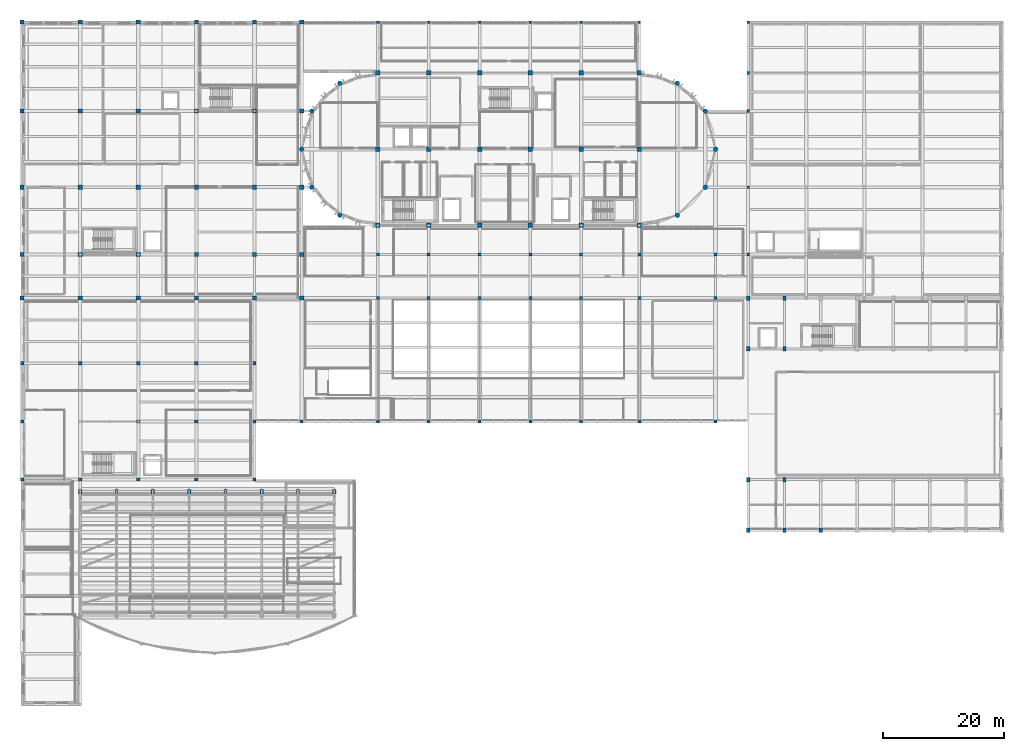
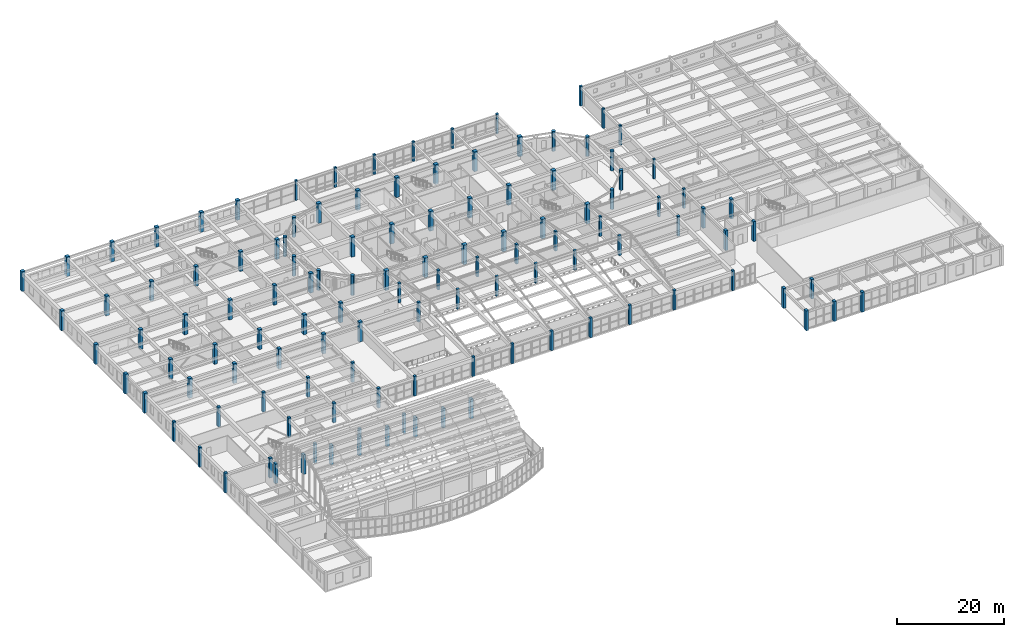
# One storey, part 3 of 91: 122 columns.
"""IFC4 building model written with IfcOpenShell, lengths in metres."""

from ifc_helpers import new_model, si_unit, direction, frame, origin, origin_2d, place, context, subcontext, project, spatial, rectangle, circle, extrude, material, material_profile, profile_set, type_object, element, save


model = new_model("IFC4")

# Units and contexts
model_context = context("Model", 3, precision=1e-05, world=origin(), true_north=direction((0.0, 1.0)))
body_context = subcontext(model_context, "Body", "Model", "MODEL_VIEW")
ifc_project = project(units=[si_unit("LENGTHUNIT", "METRE"), si_unit("AREAUNIT", "SQUARE_METRE"), si_unit("VOLUMEUNIT", "CUBIC_METRE"), si_unit("PLANEANGLEUNIT", "RADIAN"), si_unit("MASSUNIT", "GRAM", prefix="KILO")], contexts=[model_context])

# Site, building, storey
site_placement = place(None, origin())
site = spatial("IfcSite", under=ifc_project, at=site_placement, CompositionType="ELEMENT")
building_placement = place(site_placement, origin())
building = spatial("IfcBuilding", under=site, at=building_placement, Name="Tarnavel Promenade Courthouse", CompositionType="ELEMENT")
storey_placement = place(building_placement, frame((0.0, 0.0, 9.89990234375)))
storey = spatial("IfcBuildingStorey", under=building, at=storey_placement, Name="L03", CompositionType="ELEMENT", Elevation=9.89990234375)

# Columns
ifc_material = material(Name="Concrete C40/50", Category="concrete")
ifc_material_profile_1 = material_profile(ifc_material, circle(Radius=0.375, at=origin_2d()), Name="RCC D750")
ifc_profile_set_1 = profile_set([ifc_material_profile_1], Name="Concrete C40/50")
column_type_1 = type_object("IfcColumnType", Name="Concrete C40/50 COL-DRUM-D750 (RCC D750)", PredefinedType="COLUMN", material=ifc_profile_set_1)
for number, where, z_axis, x_axis, name in (
    (1, (52.5, 102.7119140625, 0.0), (0.0, 0.0, 1.0), (1.0, 0.0, 0.0), "L03 Structural Column 0232"),
    (2, (108.300048828125, 80.88818359375, 0.0), (0.0, 0.0, 1.0), (1.0, 0.0, 0.0), "L03 Structural Column 0242"),
    (3, (47.88818359375, 98.10009765625, 0.0), (0.0, 0.0, 1.0), (1.0, 0.0, 0.0), "L03 Structural Column 0252"),
    (4, (112.911865234375, 85.5, 0.0), (0.0, 0.0, 1.0), (1.0, 0.0, 0.0), "L03 Structural Column 0262"),
    (5, (46.199951171875, 91.800048828125, 0.0), (0.0, 0.0, 1.0), (1.0, 0.0, 0.0), "L03 Structural Column 0272"),
    (6, (114.60009765625, 91.800048828125, 0.0), (0.0, 0.0, 1.0), (1.0, 0.0, 0.0), "L03 Structural Column 0282"),
    (7, (47.88818359375, 85.5, 0.0), (0.0, 0.0, 1.0), (1.0, 0.0, 0.0), "L03 Structural Column 0292"),
    (8, (112.911865234375, 98.10009765625, 0.0), (0.0, 0.0, 1.0), (1.0, 0.0, 0.0), "L03 Structural Column 0302"),
    (9, (52.5, 80.88818359375, 0.0), (0.0, 0.0, 1.0), (1.0, 0.0, 0.0), "L03 Structural Column 0312"),
    (10, (108.300048828125, 102.7119140625, 0.0), (0.0, 0.0, 1.0), (1.0, 0.0, 0.0), "L03 Structural Column 0322"),
):
    element("IfcColumn", number, at=place(storey_placement, frame(where, z_axis=z_axis, x_axis=x_axis)), inside=storey, type_object=column_type_1, Name=name, PredefinedType="COLUMN", context=body_context, shape_type="SweptSolid", body=[
        extrude(circle(Radius=0.375, at=origin_2d()), origin(), (0.0, 0.0, 1.0), 4.5),
    ])
ifc_material_profile_2 = material_profile(ifc_material, rectangle(XDim=0.449951171875, YDim=0.449951171875, at=origin_2d()), Name="RC 450x450")
ifc_profile_set_2 = profile_set([ifc_material_profile_2], Name="Concrete C40/50")
column_type_2 = type_object("IfcColumnType", Name="Concrete C40/50 COL-RC450-PAV (RC 450x450)", PredefinedType="COLUMN", material=ifc_profile_set_2)
for number, where, z_axis, x_axis, name in (
    (11, (58.800048828125, 112.800048828125, 0.0), (0.0, 0.0, 1.0), (1.0, 0.0, 0.0), "L03 Structural Column 0034"),
    (12, (67.199951171875, 112.800048828125, 0.0), (0.0, 0.0, 1.0), (1.0, 0.0, 0.0), "L03 Structural Column 0076"),
    (13, (75.60009765625, 112.800048828125, 0.0), (0.0, 0.0, 1.0), (1.0, 0.0, 0.0), "L03 Structural Column 0114"),
    (14, (84.0, 112.800048828125, 0.0), (0.0, 0.0, 1.0), (1.0, 0.0, 0.0), "L03 Structural Column 0152"),
    (15, (92.39990234375, 112.800048828125, 0.0), (0.0, 0.0, 1.0), (1.0, 0.0, 0.0), "L03 Structural Column 0194"),
    (16, (102.0, 112.800048828125, 0.0), (0.0, 0.0, 1.0), (1.0, 0.0, 0.0), "L03 Structural Column 0228"),
    (17, (120.0, 74.39990234375, 0.0), (0.0, 0.0, 1.0), (1.0, 0.0, 0.0), "L03 Structural Column 0889"),
    (18, (120.0, 85.5, 0.0), (0.0, 0.0, 1.0), (1.0, 0.0, 0.0), "L03 Structural Column 0893"),
    (19, (120.0, 98.10009765625, 0.0), (0.0, 0.0, 1.0), (1.0, 0.0, 0.0), "L03 Structural Column 0897"),
    (20, (120.0, 104.39990234375, 0.0), (0.0, 0.0, 1.0), (1.0, 0.0, 0.0), "L03 Structural Column 0901"),
    (21, (120.0, 112.800048828125, 0.0), (0.0, 0.0, 1.0), (1.0, 0.0, 0.0), "L03 Structural Column 0905"),
):
    element("IfcColumn", number, at=place(storey_placement, frame(where, z_axis=z_axis, x_axis=x_axis)), inside=storey, type_object=column_type_2, Name=name, PredefinedType="COLUMN", context=body_context, shape_type="SweptSolid", body=[
        extrude(rectangle(XDim=0.449951171875, YDim=0.449951171875, at=origin_2d()), origin(), (0.0, 0.0, 1.0), 4.5),
    ])
ifc_material_profile_3 = material_profile(ifc_material, rectangle(XDim=0.5, YDim=0.5, at=origin_2d()), Name="RC 500x500")
ifc_profile_set_3 = profile_set([ifc_material_profile_3], Name="Concrete C40/50")
column_type_3 = type_object("IfcColumnType", Name="Concrete C40/50 COL-RC500-TOP (RC 500x500)", PredefinedType="COLUMN", material=ifc_profile_set_3)
for number, where, z_axis, x_axis, name in (
    (22, (46.199951171875, 46.800048828125, 0.0), (0.0, 0.0, 1.0), (1.0, 0.0, 0.0), "L03 Structural Column 1001"),
    (23, (58.800048828125, 46.800048828125, 0.0), (0.0, 0.0, 1.0), (1.0, 0.0, 0.0), "L03 Structural Column 1005"),
    (24, (58.800048828125, 67.199951171875, 0.0), (0.0, 0.0, 1.0), (1.0, 0.0, 0.0), "L03 Structural Column 1009"),
    (25, (58.800048828125, 74.39990234375, 0.0), (0.0, 0.0, 1.0), (1.0, 0.0, 0.0), "L03 Structural Column 1013"),
    (26, (67.199951171875, 46.800048828125, 0.0), (0.0, 0.0, 1.0), (1.0, 0.0, 0.0), "L03 Structural Column 1017"),
    (27, (67.199951171875, 67.199951171875, 0.0), (0.0, 0.0, 1.0), (1.0, 0.0, 0.0), "L03 Structural Column 1021"),
    (28, (67.199951171875, 74.39990234375, 0.0), (0.0, 0.0, 1.0), (1.0, 0.0, 0.0), "L03 Structural Column 1025"),
    (29, (75.60009765625, 46.800048828125, 0.0), (0.0, 0.0, 1.0), (1.0, 0.0, 0.0), "L03 Structural Column 1029"),
    (30, (75.60009765625, 67.199951171875, 0.0), (0.0, 0.0, 1.0), (1.0, 0.0, 0.0), "L03 Structural Column 1033"),
    (31, (75.60009765625, 74.39990234375, 0.0), (0.0, 0.0, 1.0), (1.0, 0.0, 0.0), "L03 Structural Column 1037"),
    (32, (84.0, 46.800048828125, 0.0), (0.0, 0.0, 1.0), (1.0, 0.0, 0.0), "L03 Structural Column 1041"),
    (33, (84.0, 67.199951171875, 0.0), (0.0, 0.0, 1.0), (1.0, 0.0, 0.0), "L03 Structural Column 1045"),
    (34, (84.0, 74.39990234375, 0.0), (0.0, 0.0, 1.0), (1.0, 0.0, 0.0), "L03 Structural Column 1049"),
    (35, (92.39990234375, 46.800048828125, 0.0), (0.0, 0.0, 1.0), (1.0, 0.0, 0.0), "L03 Structural Column 1053"),
    (36, (92.39990234375, 67.199951171875, 0.0), (0.0, 0.0, 1.0), (1.0, 0.0, 0.0), "L03 Structural Column 1057"),
    (37, (92.39990234375, 74.39990234375, 0.0), (0.0, 0.0, 1.0), (1.0, 0.0, 0.0), "L03 Structural Column 1061"),
    (38, (102.0, 46.800048828125, 0.0), (0.0, 0.0, 1.0), (1.0, 0.0, 0.0), "L03 Structural Column 1065"),
    (39, (102.0, 67.199951171875, 0.0), (0.0, 0.0, 1.0), (1.0, 0.0, 0.0), "L03 Structural Column 1069"),
    (40, (102.0, 74.39990234375, 0.0), (0.0, 0.0, 1.0), (1.0, 0.0, 0.0), "L03 Structural Column 1073"),
    (41, (114.60009765625, 46.800048828125, 0.0), (0.0, 0.0, 1.0), (1.0, 0.0, 0.0), "L03 Structural Column 1077"),
    (42, (114.60009765625, 67.199951171875, 0.0), (0.0, 0.0, 1.0), (1.0, 0.0, 0.0), "L03 Structural Column 1081"),
    (43, (114.60009765625, 74.39990234375, 0.0), (0.0, 0.0, 1.0), (1.0, 0.0, 0.0), "L03 Structural Column 1085"),
):
    element("IfcColumn", number, at=place(storey_placement, frame(where, z_axis=z_axis, x_axis=x_axis)), inside=storey, type_object=column_type_3, Name=name, PredefinedType="COLUMN", context=body_context, shape_type="SweptSolid", body=[
        extrude(rectangle(XDim=0.5, YDim=0.5, at=origin_2d()), origin(), (0.0, 0.0, 1.0), 4.5),
    ])
ifc_material_profile_4 = material_profile(ifc_material, rectangle(XDim=0.550048828125, YDim=0.550048828125, at=origin_2d()), Name="RC 550x550")
ifc_profile_set_4 = profile_set([ifc_material_profile_4], Name="Concrete C40/50")
column_type_4 = type_object("IfcColumnType", Name="Concrete C40/50 COL-RC550-TOP (RC 550x550)", PredefinedType="COLUMN", material=ifc_profile_set_4)
for number, where, z_axis, x_axis, name in (
    (44, (0.0, 37.199951171875, 0.0), (0.0, 0.0, 1.0), (1.0, 0.0, 0.0), "L03 Structural Column 0536"),
    (45, (0.0, 46.800048828125, 0.0), (0.0, 0.0, 1.0), (1.0, 0.0, 0.0), "L03 Structural Column 0542"),
    (46, (0.0, 56.39990234375, 0.0), (0.0, 0.0, 1.0), (1.0, 0.0, 0.0), "L03 Structural Column 0548"),
    (47, (9.60009765625, 37.199951171875, 0.0), (0.0, 0.0, 1.0), (1.0, 0.0, 0.0), "L03 Structural Column 0554"),
    (48, (9.60009765625, 56.39990234375, 0.0), (0.0, 0.0, 1.0), (1.0, 0.0, 0.0), "L03 Structural Column 0560"),
    (49, (19.199951171875, 37.199951171875, 0.0), (0.0, 0.0, 1.0), (1.0, 0.0, 0.0), "L03 Structural Column 0566"),
    (50, (19.199951171875, 46.800048828125, 0.0), (0.0, 0.0, 1.0), (1.0, 0.0, 0.0), "L03 Structural Column 0572"),
    (51, (19.199951171875, 56.39990234375, 0.0), (0.0, 0.0, 1.0), (1.0, 0.0, 0.0), "L03 Structural Column 0578"),
    (52, (28.800048828125, 37.199951171875, 0.0), (0.0, 0.0, 1.0), (1.0, 0.0, 0.0), "L03 Structural Column 0584"),
    (53, (28.800048828125, 46.800048828125, 0.0), (0.0, 0.0, 1.0), (1.0, 0.0, 0.0), "L03 Structural Column 0590"),
    (54, (28.800048828125, 56.39990234375, 0.0), (0.0, 0.0, 1.0), (1.0, 0.0, 0.0), "L03 Structural Column 0596"),
    (55, (38.39990234375, 37.199951171875, 0.0), (0.0, 0.0, 1.0), (1.0, 0.0, 0.0), "L03 Structural Column 0602"),
    (56, (38.39990234375, 46.800048828125, 0.0), (0.0, 0.0, 1.0), (1.0, 0.0, 0.0), "L03 Structural Column 0607"),
    (57, (38.39990234375, 56.39990234375, 0.0), (0.0, 0.0, 1.0), (1.0, 0.0, 0.0), "L03 Structural Column 0612"),
):
    element("IfcColumn", number, at=place(storey_placement, frame(where, z_axis=z_axis, x_axis=x_axis)), inside=storey, type_object=column_type_4, Name=name, PredefinedType="COLUMN", context=body_context, shape_type="SweptSolid", body=[
        extrude(rectangle(XDim=0.550048828125, YDim=0.550048828125, at=origin_2d()), origin(), (0.0, 0.0, 1.0), 4.5),
    ])
ifc_material_profile_5 = material_profile(ifc_material, rectangle(XDim=0.550048828125, YDim=0.75, at=origin_2d()), Name="RC 550x750")
ifc_profile_set_5 = profile_set([ifc_material_profile_5], Name="Concrete C40/50")
column_type_5 = type_object("IfcColumnType", Name="Concrete C40/50 COL-RC550x750 (RC 550x750)", PredefinedType="COLUMN", material=ifc_profile_set_5)
for number, where, z_axis, x_axis, name in (
    (58, (9.60009765625, 35.199951171875, 0.0), (0.0, 0.0, 1.0), (1.0, 0.0, 0.0), "L03 Structural Column 0653"),
    (59, (15.60009765625, 35.199951171875, 0.0), (0.0, 0.0, 1.0), (1.0, 0.0, 0.0), "L03 Structural Column 0661"),
    (60, (21.60009765625, 35.199951171875, 0.0), (0.0, 0.0, 1.0), (1.0, 0.0, 0.0), "L03 Structural Column 0669"),
    (61, (27.60009765625, 35.199951171875, 0.0), (0.0, 0.0, 1.0), (1.0, 0.0, 0.0), "L03 Structural Column 0677"),
    (62, (33.60009765625, 35.199951171875, 0.0), (0.0, 0.0, 1.0), (1.0, 0.0, 0.0), "L03 Structural Column 0685"),
    (63, (39.60009765625, 35.199951171875, 0.0), (0.0, 0.0, 1.0), (1.0, 0.0, 0.0), "L03 Structural Column 0693"),
    (64, (45.60009765625, 35.199951171875, 0.0), (0.0, 0.0, 1.0), (1.0, 0.0, 0.0), "L03 Structural Column 0701"),
    (65, (51.60009765625, 35.199951171875, 0.0), (0.0, 0.0, 1.0), (1.0, 0.0, 0.0), "L03 Structural Column 0709"),
    (66, (120.0, 28.800048828125, 0.0), (0.0, 0.0, 1.0), (1.0, 0.0, 0.0), "L03 Structural Column 0729"),
    (67, (120.0, 37.199951171875, 0.0), (0.0, 0.0, 1.0), (1.0, 0.0, 0.0), "L03 Structural Column 0734"),
    (68, (120.0, 58.800048828125, 0.0), (0.0, 0.0, 1.0), (1.0, 0.0, 0.0), "L03 Structural Column 0739"),
    (69, (120.0, 67.199951171875, 0.0), (0.0, 0.0, 1.0), (1.0, 0.0, 0.0), "L03 Structural Column 0744"),
    (70, (126.0, 28.800048828125, 0.0), (0.0, 0.0, 1.0), (1.0, 0.0, 0.0), "L03 Structural Column 0749"),
    (71, (126.0, 37.199951171875, 0.0), (0.0, 0.0, 1.0), (1.0, 0.0, 0.0), "L03 Structural Column 0754"),
    (72, (126.0, 58.800048828125, 0.0), (0.0, 0.0, 1.0), (1.0, 0.0, 0.0), "L03 Structural Column 0759"),
    (73, (126.0, 67.199951171875, 0.0), (0.0, 0.0, 1.0), (1.0, 0.0, 0.0), "L03 Structural Column 0764"),
    (74, (132.0, 28.800048828125, 0.0), (0.0, 0.0, 1.0), (1.0, 0.0, 0.0), "L03 Structural Column 0769"),
):
    element("IfcColumn", number, at=place(storey_placement, frame(where, z_axis=z_axis, x_axis=x_axis)), inside=storey, type_object=column_type_5, Name=name, PredefinedType="COLUMN", context=body_context, shape_type="SweptSolid", body=[
        extrude(rectangle(XDim=0.550048828125, YDim=0.75, at=origin_2d()), origin(), (0.0, 0.0, 1.0), 4.5),
    ])
ifc_material_profile_6 = material_profile(ifc_material, rectangle(XDim=0.699951171875, YDim=0.699951171875, at=origin_2d()), Name="RC 700x700")
ifc_profile_set_6 = profile_set([ifc_material_profile_6], Name="Concrete C40/50")
column_type_6 = type_object("IfcColumnType", Name="Concrete C40/50 COL-RC700-MID (RC 700x700)", PredefinedType="COLUMN", material=ifc_profile_set_6)
for number, where, z_axis, x_axis, name in (
    (75, (0.0, 67.199951171875, 0.0), (0.0, 0.0, 1.0), (1.0, 0.0, 0.0), "L03 Structural Column 0332"),
    (76, (0.0, 74.39990234375, 0.0), (0.0, 0.0, 1.0), (1.0, 0.0, 0.0), "L03 Structural Column 0338"),
    (77, (0.0, 85.5, 0.0), (0.0, 0.0, 1.0), (1.0, 0.0, 0.0), "L03 Structural Column 0345"),
    (78, (0.0, 98.10009765625, 0.0), (0.0, 0.0, 1.0), (1.0, 0.0, 0.0), "L03 Structural Column 0352"),
    (79, (0.0, 112.800048828125, 0.0), (0.0, 0.0, 1.0), (1.0, 0.0, 0.0), "L03 Structural Column 0359"),
    (80, (9.60009765625, 67.199951171875, 0.0), (0.0, 0.0, 1.0), (1.0, 0.0, 0.0), "L03 Structural Column 0366"),
    (81, (9.60009765625, 74.39990234375, 0.0), (0.0, 0.0, 1.0), (1.0, 0.0, 0.0), "L03 Structural Column 0372"),
    (82, (9.60009765625, 85.5, 0.0), (0.0, 0.0, 1.0), (1.0, 0.0, 0.0), "L03 Structural Column 0379"),
    (83, (9.60009765625, 98.10009765625, 0.0), (0.0, 0.0, 1.0), (1.0, 0.0, 0.0), "L03 Structural Column 0386"),
    (84, (9.60009765625, 112.800048828125, 0.0), (0.0, 0.0, 1.0), (1.0, 0.0, 0.0), "L03 Structural Column 0393"),
    (85, (19.199951171875, 67.199951171875, 0.0), (0.0, 0.0, 1.0), (1.0, 0.0, 0.0), "L03 Structural Column 0400"),
    (86, (19.199951171875, 74.39990234375, 0.0), (0.0, 0.0, 1.0), (1.0, 0.0, 0.0), "L03 Structural Column 0406"),
    (87, (19.199951171875, 85.5, 0.0), (0.0, 0.0, 1.0), (1.0, 0.0, 0.0), "L03 Structural Column 0413"),
    (88, (19.199951171875, 98.10009765625, 0.0), (0.0, 0.0, 1.0), (1.0, 0.0, 0.0), "L03 Structural Column 0420"),
    (89, (19.199951171875, 112.800048828125, 0.0), (0.0, 0.0, 1.0), (1.0, 0.0, 0.0), "L03 Structural Column 0427"),
    (90, (28.800048828125, 67.199951171875, 0.0), (0.0, 0.0, 1.0), (1.0, 0.0, 0.0), "L03 Structural Column 0434"),
    (91, (28.800048828125, 74.39990234375, 0.0), (0.0, 0.0, 1.0), (1.0, 0.0, 0.0), "L03 Structural Column 0440"),
    (92, (28.800048828125, 85.5, 0.0), (0.0, 0.0, 1.0), (1.0, 0.0, 0.0), "L03 Structural Column 0447"),
    (93, (28.800048828125, 98.10009765625, 0.0), (0.0, 0.0, 1.0), (1.0, 0.0, 0.0), "L03 Structural Column 0454"),
    (94, (28.800048828125, 112.800048828125, 0.0), (0.0, 0.0, 1.0), (1.0, 0.0, 0.0), "L03 Structural Column 0461"),
    (95, (38.39990234375, 67.199951171875, 0.0), (0.0, 0.0, 1.0), (1.0, 0.0, 0.0), "L03 Structural Column 0468"),
    (96, (38.39990234375, 74.39990234375, 0.0), (0.0, 0.0, 1.0), (1.0, 0.0, 0.0), "L03 Structural Column 0474"),
    (97, (38.39990234375, 85.5, 0.0), (0.0, 0.0, 1.0), (1.0, 0.0, 0.0), "L03 Structural Column 0481"),
    (98, (38.39990234375, 98.10009765625, 0.0), (0.0, 0.0, 1.0), (1.0, 0.0, 0.0), "L03 Structural Column 0488"),
    (99, (38.39990234375, 112.800048828125, 0.0), (0.0, 0.0, 1.0), (1.0, 0.0, 0.0), "L03 Structural Column 0495"),
    (100, (46.199951171875, 67.199951171875, 0.0), (0.0, 0.0, 1.0), (1.0, 0.0, 0.0), "L03 Structural Column 0502"),
    (101, (46.199951171875, 74.39990234375, 0.0), (0.0, 0.0, 1.0), (1.0, 0.0, 0.0), "L03 Structural Column 0508"),
    (102, (46.199951171875, 85.5, 0.0), (0.0, 0.0, 1.0), (1.0, 0.0, 0.0), "L03 Structural Column 0515"),
    (103, (46.199951171875, 98.10009765625, 0.0), (0.0, 0.0, 1.0), (1.0, 0.0, 0.0), "L03 Structural Column 0522"),
    (104, (46.199951171875, 112.800048828125, 0.0), (0.0, 0.0, 1.0), (1.0, 0.0, 0.0), "L03 Structural Column 0529"),
):
    element("IfcColumn", number, at=place(storey_placement, frame(where, z_axis=z_axis, x_axis=x_axis)), inside=storey, type_object=column_type_6, Name=name, PredefinedType="COLUMN", context=body_context, shape_type="SweptSolid", body=[
        extrude(rectangle(XDim=0.699951171875, YDim=0.699951171875, at=origin_2d()), origin(), (0.0, 0.0, 1.0), 4.5),
    ])
ifc_material_profile_7 = material_profile(ifc_material, rectangle(XDim=0.75, YDim=0.75, at=origin_2d()), Name="RC 750x750")
ifc_profile_set_7 = profile_set([ifc_material_profile_7], Name="Concrete C40/50")
column_type_7 = type_object("IfcColumnType", Name="Concrete C40/50 COL-RC750-MID (RC 750x750)", PredefinedType="COLUMN", material=ifc_profile_set_7)
for number, where, z_axis, x_axis, name in (
    (105, (58.800048828125, 79.199951171875, 0.0), (0.0, 0.0, 1.0), (1.0, 0.0, 0.0), "L03 Structural Column 0004"),
    (106, (58.800048828125, 91.800048828125, 0.0), (0.0, 0.0, 1.0), (1.0, 0.0, 0.0), "L03 Structural Column 0014"),
    (107, (58.800048828125, 104.39990234375, 0.0), (0.0, 0.0, 1.0), (1.0, 0.0, 0.0), "L03 Structural Column 0024"),
    (108, (67.199951171875, 79.199951171875, 0.0), (0.0, 0.0, 1.0), (1.0, 0.0, 0.0), "L03 Structural Column 0038"),
    (109, (67.199951171875, 91.800048828125, 0.0), (0.0, 0.0, 1.0), (1.0, 0.0, 0.0), "L03 Structural Column 0048"),
    (110, (67.199951171875, 104.39990234375, 0.0), (0.0, 0.0, 1.0), (1.0, 0.0, 0.0), "L03 Structural Column 0058"),
    (111, (75.60009765625, 79.199951171875, 0.0), (0.0, 0.0, 1.0), (1.0, 0.0, 0.0), "L03 Structural Column 0080"),
    (112, (75.60009765625, 91.800048828125, 0.0), (0.0, 0.0, 1.0), (1.0, 0.0, 0.0), "L03 Structural Column 0090"),
    (113, (75.60009765625, 104.39990234375, 0.0), (0.0, 0.0, 1.0), (1.0, 0.0, 0.0), "L03 Structural Column 0100"),
    (114, (84.0, 79.199951171875, 0.0), (0.0, 0.0, 1.0), (1.0, 0.0, 0.0), "L03 Structural Column 0118"),
    (115, (84.0, 91.800048828125, 0.0), (0.0, 0.0, 1.0), (1.0, 0.0, 0.0), "L03 Structural Column 0128"),
    (116, (84.0, 104.39990234375, 0.0), (0.0, 0.0, 1.0), (1.0, 0.0, 0.0), "L03 Structural Column 0138"),
    (117, (92.39990234375, 79.199951171875, 0.0), (0.0, 0.0, 1.0), (1.0, 0.0, 0.0), "L03 Structural Column 0156"),
    (118, (92.39990234375, 91.800048828125, 0.0), (0.0, 0.0, 1.0), (1.0, 0.0, 0.0), "L03 Structural Column 0166"),
    (119, (92.39990234375, 104.39990234375, 0.0), (0.0, 0.0, 1.0), (1.0, 0.0, 0.0), "L03 Structural Column 0176"),
    (120, (102.0, 79.199951171875, 0.0), (0.0, 0.0, 1.0), (1.0, 0.0, 0.0), "L03 Structural Column 0198"),
    (121, (102.0, 91.800048828125, 0.0), (0.0, 0.0, 1.0), (1.0, 0.0, 0.0), "L03 Structural Column 0208"),
    (122, (102.0, 104.39990234375, 0.0), (0.0, 0.0, 1.0), (1.0, 0.0, 0.0), "L03 Structural Column 0218"),
):
    element("IfcColumn", number, at=place(storey_placement, frame(where, z_axis=z_axis, x_axis=x_axis)), inside=storey, type_object=column_type_7, Name=name, PredefinedType="COLUMN", context=body_context, shape_type="SweptSolid", body=[
        extrude(rectangle(XDim=0.75, YDim=0.75, at=origin_2d()), origin(), (0.0, 0.0, 1.0), 4.5),
    ])

save(model, "model.ifc")
